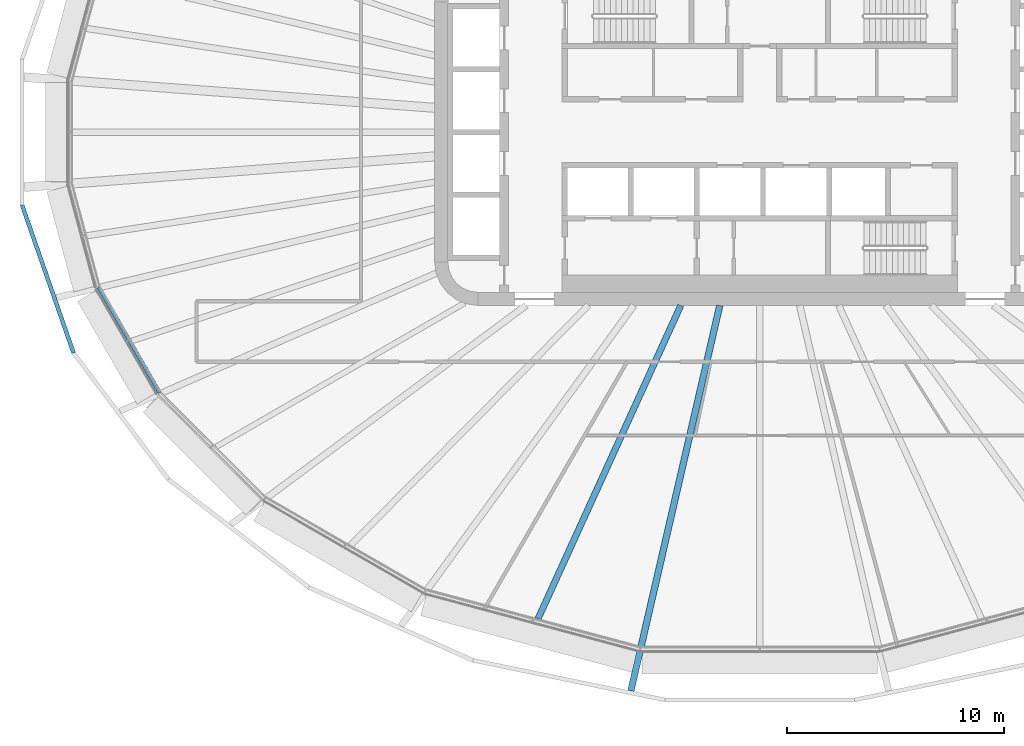
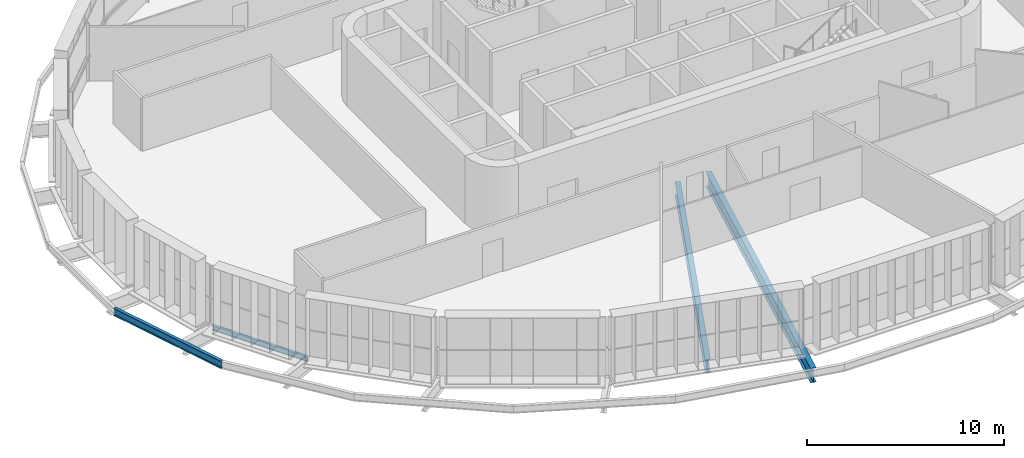
# One storey, part 2 of 25: 4 beams.
"""IFC4 building model written with IfcOpenShell, lengths in metres."""

import ifcopenshell
import ifcopenshell.guid

model = None  # the IFC model being written
_history = None  # IfcOwnerHistory: only IFC2X3 demands one
_inside = {}  # id of a spatial element -> (the spatial element, [elements in it])
_under = {}  # id of a project, library or spatial element -> (it, [spatial elements below it])
_declared = {}  # id of a project -> (the project, [libraries it declares])
_typed = {}  # id of a type object -> (the type object, [elements of that type])
_made_of = {}  # id of a material, layer set ... -> (it, [elements and type objects made of it])


def new_model(schema):
    """Start an empty IFC model of exactly this schema.

    Asked for "IFC4X3", IfcOpenShell would pick the latest addendum, in which some entities
    have other attributes; the version numbers below select the first issue.
    IFC2X3 requires an IfcOwnerHistory on every rooted entity: one is made here for all.
    """
    global model, _history
    if schema == "IFC4X3":
        model = ifcopenshell.file(schema_version=(4, 3, 0, 0))
    else:
        model = ifcopenshell.file(schema=schema)
    _inside.clear()
    _under.clear()
    _declared.clear()
    _typed.clear()
    _made_of.clear()
    _history = None
    if model.schema == "IFC2X3":
        org = make("IfcOrganization", Name="unknown")
        user = make(
            "IfcPersonAndOrganization",
            ThePerson=make("IfcPerson", FamilyName="unknown"),
            TheOrganization=org,
        )
        app = make(
            "IfcApplication",
            ApplicationDeveloper=org,
            Version="unknown",
            ApplicationFullName="unknown",
            ApplicationIdentifier="unknown",
        )
        _history = make(
            "IfcOwnerHistory",
            OwningUser=user,
            OwningApplication=app,
            ChangeAction="ADDED",
            CreationDate=0,
        )
    return model


def make(cls, **values):
    """One entity of the class cls with the attributes given. An attribute that is None is left unset."""
    return model.create_entity(
        cls, **{name: value for name, value in values.items() if value is not None}
    )


def rooted(cls, **values):
    """An entity with a GlobalId (a new one), such as an element, a storey or a relation."""
    return make(cls, GlobalId=ifcopenshell.guid.new(), OwnerHistory=_history, **values)


def si_unit(unit_type, name, prefix=None):
    """IfcSIUnit, for example si_unit("LENGTHUNIT", "METRE", prefix="MILLI")."""
    return make("IfcSIUnit", UnitType=unit_type, Prefix=prefix, Name=name)


def assignment(units):
    """IfcUnitAssignment: the units of a project."""
    return None if units is None else make("IfcUnitAssignment", Units=units)


def point(xyz):
    """IfcCartesianPoint."""
    return None if xyz is None else make("IfcCartesianPoint", Coordinates=xyz)


def direction(xyz):
    """IfcDirection."""
    return None if xyz is None else make("IfcDirection", DirectionRatios=xyz)


def frame(location, z_axis=None, x_axis=None):
    """IfcAxis2Placement3D, a coordinate frame: its origin and axes. An axis left out is left unset."""
    return make(
        "IfcAxis2Placement3D",
        Location=point(location),
        Axis=direction(z_axis),
        RefDirection=direction(x_axis),
    )


def frame_2d(location, x_axis=None):
    """IfcAxis2Placement2D, a coordinate frame in the plane: its origin and x axis."""
    return make(
        "IfcAxis2Placement2D", Location=point(location), RefDirection=direction(x_axis)
    )


def origin():
    """The frame at (0, 0, 0) with its axes left unset."""
    return frame((0.0, 0.0, 0.0))


def origin_2d():
    """The frame at (0, 0) in the plane with its x axis left unset."""
    return frame_2d((0.0, 0.0))


def place(relative_to, where):
    """IfcLocalPlacement: puts the frame where relative to a parent placement (None: the world)."""
    return make(
        "IfcLocalPlacement", PlacementRelTo=relative_to, RelativePlacement=where
    )


def context(
    kind, dimensions, precision=None, world=None, true_north=None, identifier=None
):
    """IfcGeometricRepresentationContext, for example the 3D "Model" context."""
    return make(
        "IfcGeometricRepresentationContext",
        ContextIdentifier=identifier,
        ContextType=kind,
        CoordinateSpaceDimension=dimensions,
        Precision=precision,
        WorldCoordinateSystem=world,
        TrueNorth=true_north,
    )


def subcontext(parent, identifier, kind, view, scale=None):
    """IfcGeometricRepresentationSubContext, for example "Body" below "Model"."""
    return make(
        "IfcGeometricRepresentationSubContext",
        ContextIdentifier=identifier,
        ContextType=kind,
        ParentContext=parent,
        TargetScale=scale,
        TargetView=view,
    )


def project(units=None, contexts=None):
    """IfcProject with its units and contexts."""
    return rooted(
        "IfcProject",
        Name="project",
        RepresentationContexts=contexts,
        UnitsInContext=assignment(units),
    )


def spatial(cls, under=None, at=None, **own):
    """A site, building, storey or space (cls), placed at a placement, below another one or the project."""
    s = rooted(cls, ObjectPlacement=at, **own)
    if under is not None:
        _under.setdefault(under.id(), (under, []))[1].append(s)
    return s


def profile(cls, at=None, kind="AREA", **sizes):
    """A parametric profile (cls). Its sizes go by their IFC names, for example OverallWidth=200.0."""
    return make(cls, ProfileType=kind, Position=at, **sizes)


def i_section(**sizes):
    """IfcIShapeProfileDef."""
    return profile("IfcIShapeProfileDef", **sizes)


def extrude(swept, where, along, depth):
    """IfcExtrudedAreaSolid: the profile swept, set in the frame where, extruded along a direction by depth."""
    return make(
        "IfcExtrudedAreaSolid",
        SweptArea=swept,
        Position=where,
        ExtrudedDirection=direction(along),
        Depth=depth,
    )


def shape(context_of_items, identifier, shape_type, items):
    """IfcShapeRepresentation: the items that make up one representation, for example the "Body"."""
    return make(
        "IfcShapeRepresentation",
        ContextOfItems=context_of_items,
        RepresentationIdentifier=identifier,
        RepresentationType=shape_type,
        Items=items,
    )


def material(Name=None, Category=None):
    """IfcMaterial."""
    return make("IfcMaterial", Name=Name, Category=Category)


def material_profile(
    of_material, cross_section, Name=None, Category=None, Priority=None
):
    """IfcMaterialProfile: a cross section and its material."""
    return make(
        "IfcMaterialProfile",
        Name=Name,
        Material=of_material,
        Profile=cross_section,
        Priority=Priority,
        Category=Category,
    )


def profile_set(profiles, Name=None, composite=None):
    """IfcMaterialProfileSet."""
    return make(
        "IfcMaterialProfileSet",
        Name=Name,
        MaterialProfiles=profiles,
        CompositeProfile=composite,
    )


def made_of(thing, what):
    """Note that an element or type object is made of a material, layer set ...; save() writes the relation."""
    if what is not None:
        _made_of.setdefault(what.id(), (what, []))[1].append(thing)
    return thing


def type_object(cls, material=None, **own):
    """A type object (cls), such as IfcWallType, which elements share."""
    return made_of(rooted(cls, **own), material)


def element(
    cls,
    number,
    at=None,
    inside=None,
    cuts=None,
    type_object=None,
    material=None,
    context=None,
    identifier="Body",
    shape_type=None,
    held_by="IfcProductDefinitionShape",
    body=None,
    shapes=None,
    **own,
):
    """One element of the class cls, such as IfcWall. Its Tag is "e" and its number.

    at: its placement. inside: the storey or other place that contains it. cuts: it is an
    opening in that element (IfcRelVoidsElement). A single representation is given by context,
    identifier, shape_type and body (its items); several are given by shapes. held_by: the class
    of the entity that holds the representations. save() writes the other relations.
    """
    e = rooted(cls, Tag="e%d" % number, ObjectPlacement=at, **own)
    if body is not None:
        shapes = [shape(context, identifier, shape_type, body)]
    if shapes is not None:
        e.Representation = make(held_by, Representations=shapes)
    if inside is not None:
        _inside.setdefault(inside.id(), (inside, []))[1].append(e)
    if cuts is not None:
        rooted(
            "IfcRelVoidsElement", RelatingBuildingElement=cuts, RelatedOpeningElement=e
        )
    if type_object is not None:
        _typed.setdefault(type_object.id(), (type_object, []))[1].append(e)
    return made_of(e, material)


def aggregate(whole, parts):
    """IfcRelAggregates: a whole, such as a stair, and the parts it consists of."""
    return rooted("IfcRelAggregates", RelatingObject=whole, RelatedObjects=parts)


def save(model, path):
    """Write the relations noted so far, then the file.

    IfcRelAggregates (storeys below a building ...), IfcRelContainedInSpatialStructure (elements
    in a storey), IfcRelDefinesByType, IfcRelAssociatesMaterial and IfcRelDeclares: one each for
    every whole, place, type object, material and project.
    """
    for whole, parts in _under.values():
        aggregate(whole, parts)
    for where, things in _inside.values():
        rooted(
            "IfcRelContainedInSpatialStructure",
            RelatedElements=things,
            RelatingStructure=where,
        )
    for kind, things in _typed.values():
        rooted("IfcRelDefinesByType", RelatedObjects=things, RelatingType=kind)
    for what, things in _made_of.values():
        rooted("IfcRelAssociatesMaterial", RelatedObjects=things, RelatingMaterial=what)
    for by, libraries in _declared.values():
        rooted("IfcRelDeclares", RelatingContext=by, RelatedDefinitions=libraries)
    model.write(path)


model = new_model("IFC4")

# Units and contexts
model_context = context("Model", 3, precision=1e-05, world=origin(), true_north=direction((0.0, 1.0)))
body_context = subcontext(model_context, "Body", "Model", "MODEL_VIEW")
ifc_project = project(units=[si_unit("LENGTHUNIT", "METRE"), si_unit("AREAUNIT", "SQUARE_METRE"), si_unit("VOLUMEUNIT", "CUBIC_METRE"), si_unit("PLANEANGLEUNIT", "RADIAN"), si_unit("MASSUNIT", "GRAM", prefix="KILO")], contexts=[model_context])

# Site, building, storey
site_placement = place(None, origin())
site = spatial("IfcSite", under=ifc_project, at=site_placement, CompositionType="ELEMENT")
building_placement = place(site_placement, origin())
building = spatial("IfcBuilding", under=site, at=building_placement, Name="Sahrelin Media Tower", CompositionType="ELEMENT")
storey_placement = place(building_placement, frame((0.0, 0.0, 106.199951171875)))
storey = spatial("IfcBuildingStorey", under=building, at=storey_placement, Name="L20", CompositionType="ELEMENT", Elevation=106.199951171875)

# Beams
ifc_material = material(Name="Steel S355", Category="steel")
ifc_material_profile_1 = material_profile(ifc_material, i_section(OverallWidth=0.1650390625, OverallDepth=0.303466796875, WebThickness=0.006103515625, FlangeThickness=0.01025390625, FilletRadius=0.0087890625, at=origin_2d()), Name="UB 305x165x40")
ifc_profile_set_1 = profile_set([ifc_material_profile_1], Name="Steel S355")
beam_type_1 = type_object("IfcBeamType", Name="Edge beam EB2", PredefinedType="BEAM", material=ifc_profile_set_1)
beam_1_placement = place(storey_placement, frame((-27.698486328125, -12.025634765625, -0.3017578125), z_axis=(-0.500017404508, 0.866015355054, 0.0), x_axis=(-0.866015355054, -0.500017404508, 0.0)))
element("IfcBeam", 1, at=beam_1_placement, inside=storey, type_object=beam_type_1, Name="Edge beam L20-11", PredefinedType="BEAM", context=body_context, shape_type="SweptSolid", body=[
    extrude(i_section(OverallWidth=0.1650390625, OverallDepth=0.303466796875, WebThickness=0.006103515625, FlangeThickness=0.01025390625, FilletRadius=0.0087890625, at=origin_2d()), origin(), (0.0, 0.0, 1.0), 5.612548828125),
])
ifc_material_profile_2 = material_profile(ifc_material, i_section(OverallWidth=0.30322265625, OverallDepth=0.903076171875, WebThickness=0.01513671875, FlangeThickness=0.020263671875, FilletRadius=0.01904296875, at=origin_2d()), Name="UB 914x305x201")
ifc_profile_set_2 = profile_set([ifc_material_profile_2], Name="Steel S355")
beam_type_2 = type_object("IfcBeamType", Name="Radial primary beam PB11", PredefinedType="BEAM", material=ifc_profile_set_2)
beam_2_placement = place(storey_placement, frame((-1.845458984375, -8.0, -0.6015625), z_axis=(-0.224770597267, -0.974411708984, 0.0), x_axis=(0.974411708984, -0.224770597267, 0.0)))
element("IfcBeam", 2, at=beam_2_placement, inside=storey, type_object=beam_type_2, Name="Radial beam L20-18", PredefinedType="BEAM", context=body_context, shape_type="SweptSolid", body=[
    extrude(i_section(OverallWidth=0.30322265625, OverallDepth=0.903076171875, WebThickness=0.01513671875, FlangeThickness=0.020263671875, FilletRadius=0.01904296875, at=origin_2d()), origin(), (0.0, 0.0, 1.0), 18.25),
])
ifc_material_profile_3 = material_profile(ifc_material, i_section(OverallWidth=0.291748046875, OverallDepth=0.8349609375, WebThickness=0.013916015625, FlangeThickness=0.018798828125, FilletRadius=0.017822265625, at=origin_2d()), Name="UB 838x292x176")
ifc_profile_set_3 = profile_set([ifc_material_profile_3], Name="Steel S355")
beam_type_3 = type_object("IfcBeamType", Name="Radial secondary beam SB10", PredefinedType="BEAM", material=ifc_profile_set_3)
beam_3_placement = place(storey_placement, frame((-3.64501953125, -8.0, -0.5673828125), z_axis=(-0.414626132753, -0.909991851633, 0.0), x_axis=(0.909991851633, -0.414626132753, 0.0)))
element("IfcBeam", 3, at=beam_3_placement, inside=storey, type_object=beam_type_3, Name="Secondary beam L20-17", PredefinedType="BEAM", context=body_context, shape_type="SweptSolid", body=[
    extrude(i_section(OverallWidth=0.291748046875, OverallDepth=0.8349609375, WebThickness=0.013916015625, FlangeThickness=0.018798828125, FilletRadius=0.017822265625, at=origin_2d()), origin(), (0.0, 0.0, 1.0), 15.884033203125),
])
ifc_material_profile_4 = material_profile(ifc_material, i_section(OverallWidth=0.1904296875, OverallDepth=0.45703125, WebThickness=0.009033203125, FlangeThickness=0.014404296875, FilletRadius=0.01025390625, at=origin_2d()), Name="UB 457x191x74")
ifc_profile_set_4 = profile_set([ifc_material_profile_4], Name="Steel S355")
beam_type_4 = type_object("IfcBeamType", Name="Tie chord TC5", PredefinedType="BEAM", material=ifc_profile_set_4)
beam_4_placement = place(storey_placement, frame((-34.045654296875, -3.366455078125, -0.37841796875), z_axis=(0.32878546378, -0.944404637222, 0.0), x_axis=(0.944404637222, 0.32878546378, 0.0)))
element("IfcBeam", 4, at=beam_4_placement, inside=storey, type_object=beam_type_4, Name="Tie chord L20-13", PredefinedType="BEAM", context=body_context, shape_type="SweptSolid", body=[
    extrude(i_section(OverallWidth=0.1904296875, OverallDepth=0.45703125, WebThickness=0.009033203125, FlangeThickness=0.014404296875, FilletRadius=0.01025390625, at=origin_2d()), origin(), (0.0, 0.0, 1.0), 7.22216796875),
])

save(model, "model.ifc")
